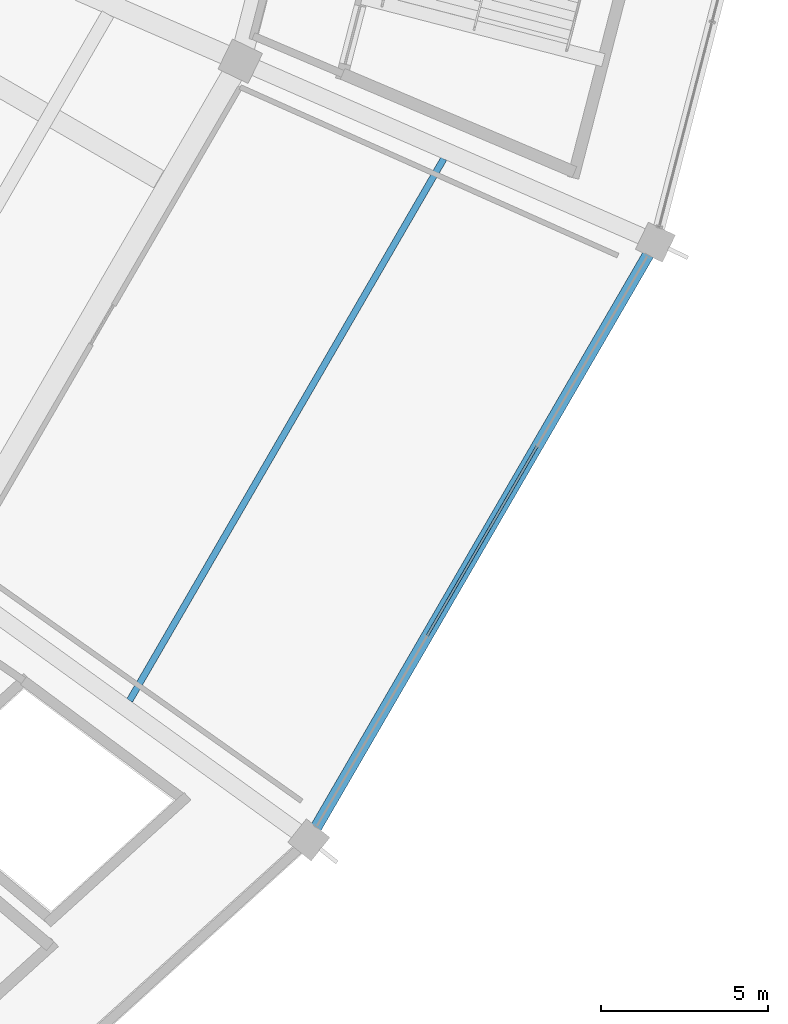
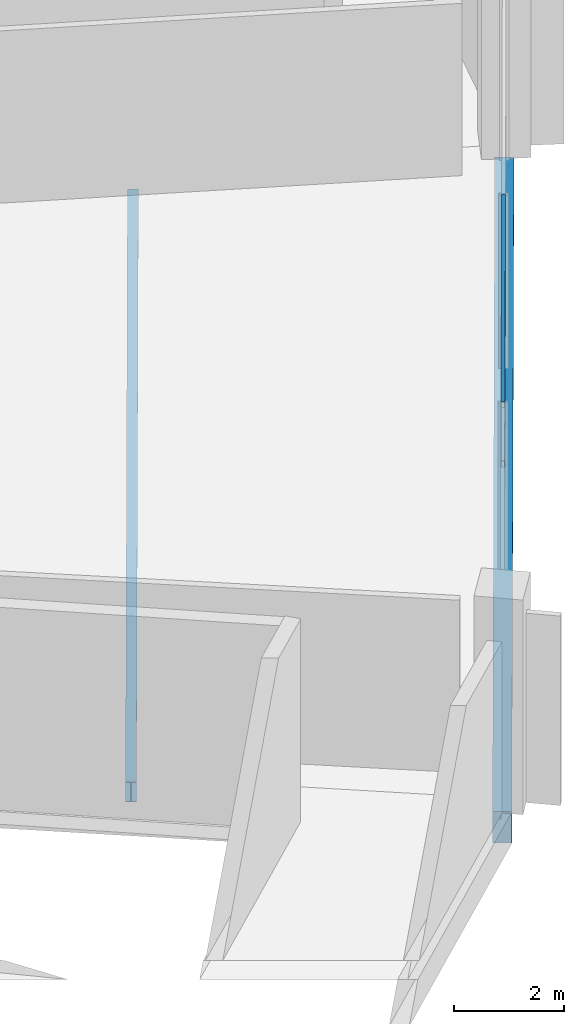
# One storey, part 52 of 156: 2 beams, 2 members, 1 element without a shape of its own.
"""IFC4 building model written with IfcOpenShell, lengths in metres."""

from ifc_helpers import new_model, si_unit, direction, frame, origin, origin_2d, place, context, subcontext, project, spatial, rectangle, hollow_rectangle, i_section, extrude, material, layer, layer_set, material_profile, profile_set, type_object, element, aggregate, save


model = new_model("IFC4")

# Units and contexts
model_context = context("Model", 3, precision=1e-05, world=origin(), true_north=direction((0.0, 1.0)))
body_context = subcontext(model_context, "Body", "Model", "MODEL_VIEW")
ifc_project = project(units=[si_unit("LENGTHUNIT", "METRE"), si_unit("AREAUNIT", "SQUARE_METRE"), si_unit("VOLUMEUNIT", "CUBIC_METRE"), si_unit("PLANEANGLEUNIT", "RADIAN"), si_unit("MASSUNIT", "GRAM", prefix="KILO")], contexts=[model_context])

# Site, building, storey
site_placement = place(None, origin())
site = spatial("IfcSite", under=ifc_project, at=site_placement, CompositionType="ELEMENT")
building_placement = place(site_placement, origin())
building = spatial("IfcBuilding", under=site, at=building_placement, Name="Kazemori Nagisa Stadium", CompositionType="ELEMENT")
storey_placement = place(building_placement, frame((0.0, 0.0, 5.780029296875)))
storey = spatial("IfcBuildingStorey", under=building, at=storey_placement, Name="L01", CompositionType="ELEMENT", Elevation=5.780029296875)

# Beams
ifc_material_1 = material(Name="Steel SN490B", Category="steel")
ifc_material_profile_1 = material_profile(ifc_material_1, i_section(OverallWidth=0.199951171875, OverallDepth=0.449951171875, WebThickness=0.009033203125, FlangeThickness=0.013916015625, FilletRadius=0.012939453125, at=origin_2d()), Name="H-450x200x9x14")
ifc_profile_set_1 = profile_set([ifc_material_profile_1], Name="Steel SN490B")
beam_type_1 = type_object("IfcBeamType", Name="Beam_BJ-H450", PredefinedType="JOIST", material=ifc_profile_set_1)
beam_1_placement = place(storey_placement, frame((196.12353515625, 49.510986328125, -0.505126953125), z_axis=(0.501610844533, 0.865093382616, 0.0), x_axis=(-0.865093382616, 0.501610844533, 0.0)))
element("IfcBeam", 1, at=beam_1_placement, inside=storey, type_object=beam_type_1, Name="Outer bay joist BJ-H450 L01 B26", PredefinedType="JOIST", context=body_context, shape_type="SweptSolid", body=[
    extrude(i_section(OverallWidth=0.199951171875, OverallDepth=0.449951171875, WebThickness=0.009033203125, FlangeThickness=0.013916015625, FilletRadius=0.012939453125, at=origin_2d()), origin(), (0.0, 0.0, 1.0), 18.7724609375),
])
ifc_material_2 = material(Name="Concrete C40/50 (Fc42)", Category="concrete")
ifc_material_profile_2 = material_profile(ifc_material_2, rectangle(XDim=0.35009765625, YDim=0.699951171875, at=origin_2d()), Name="RC-SP-350x700")
ifc_profile_set_2 = profile_set([ifc_material_profile_2], Name="Concrete C40/50 (Fc42)")
beam_type_2 = type_object("IfcBeamType", Name="Beam_BS-RC350X700", PredefinedType="SPANDREL", material=ifc_profile_set_2)
beam_2_placement = place(storey_placement, frame((201.495361328125, 45.332275390625, -0.630126953125), z_axis=(0.50161277459, 0.8650922635, 0.0), x_axis=(-0.8650922635, 0.50161277459, 0.0)))
element("IfcBeam", 2, at=beam_2_placement, inside=storey, type_object=beam_type_2, Name="Ring girder BS-RC350X700 L01 R3-26", PredefinedType="SPANDREL", context=body_context, shape_type="SweptSolid", body=[
    extrude(rectangle(XDim=0.35009765625, YDim=0.699951171875, at=origin_2d()), origin(), (0.0, 0.0, 1.0), 20.71240234375),
])

# Curtain wall, members
ifc_material_3 = material(Name="Anodised aluminium 6063-T5", Category="aluminium")
ifc_layer = layer(ifc_material_3, 0.179931640625, Name="Anodised aluminium 6063-T5", Category="aluminium")
ifc_layer_set = layer_set([ifc_layer], Name="Anodised aluminium 6063-T5")
curtain_wall_type = type_object("IfcCurtainWallType", Name="CW_L01R3_99", PredefinedType="USERDEFINED", material=ifc_layer_set)
curtain_wall_placement = place(storey_placement, origin())
curtain_wall = element("IfcCurtainWall", 3, at=curtain_wall_placement, inside=storey, type_object=curtain_wall_type, Name="Unitised curtain wall CW-L01R3-99 L01", ObjectType="UNITISED CURTAIN WALL", PredefinedType="USERDEFINED")
ifc_material_4 = material(Name="Aluminium 6063-T5 anodised", Category="aluminium")
ifc_material_profile_3 = material_profile(ifc_material_4, hollow_rectangle(XDim=0.070068359375, YDim=0.139892578125, WallThickness=0.00390625, at=origin_2d()), Name="ALU-TRAN-70x140x4")
ifc_profile_set_3 = profile_set([ifc_material_profile_3], Name="Aluminium 6063-T5 anodised")
member_type = type_object("IfcMemberType", Name="Transom_T01", PredefinedType="USERDEFINED", material=ifc_profile_set_3)
member_1_placement = place(storey_placement, frame((205.048095703125, 51.459228515625, 2.4638671875), z_axis=(0.501590295943, 0.865105297069, 0.0), x_axis=(-0.865105297069, 0.501590295943, 0.0)))
member_1 = element("IfcMember", 4, at=member_1_placement, type_object=member_type, Name="Curtain wall transom CW-L01R3-99-T2-mid", ObjectType="TRANSOM", PredefinedType="USERDEFINED", context=body_context, shape_type="SweptSolid", body=[
    extrude(hollow_rectangle(XDim=0.070068359375, YDim=0.139892578125, WallThickness=0.00390625, at=origin_2d()), origin(), (0.0, 0.0, 1.0), 6.547607421875),
])
member_2_placement = place(storey_placement, frame((205.048095703125, 51.459228515625, 3.780029296875), z_axis=(0.501590295943, 0.865105297069, 0.0), x_axis=(-0.865105297069, 0.501590295943, 0.0)))
member_2 = element("IfcMember", 5, at=member_2_placement, type_object=member_type, Name="Curtain wall transom CW-L01R3-99-T2-head", ObjectType="TRANSOM", PredefinedType="USERDEFINED", context=body_context, shape_type="SweptSolid", body=[
    extrude(hollow_rectangle(XDim=0.070068359375, YDim=0.139892578125, WallThickness=0.00390625, at=origin_2d()), origin(), (0.0, 0.0, 1.0), 6.547607421875),
])
aggregate(curtain_wall, [member_1, member_2])

save(model, "model.ifc")
